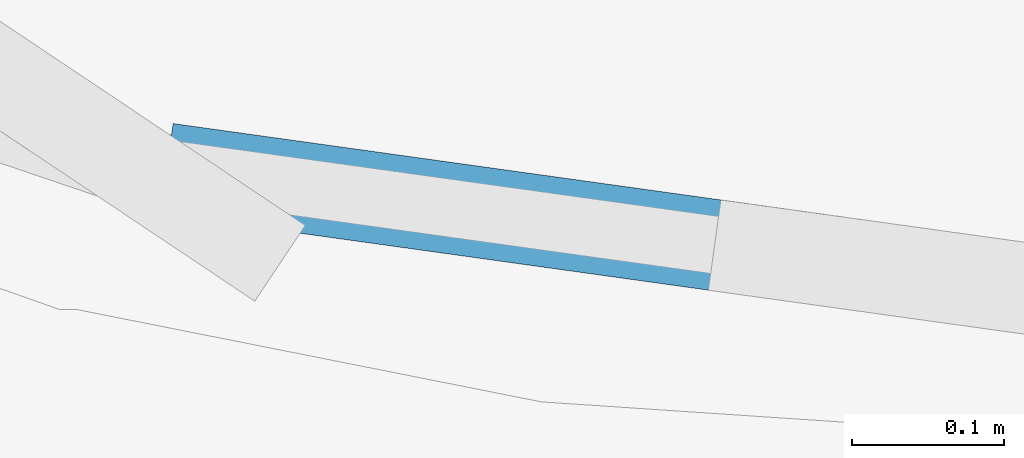
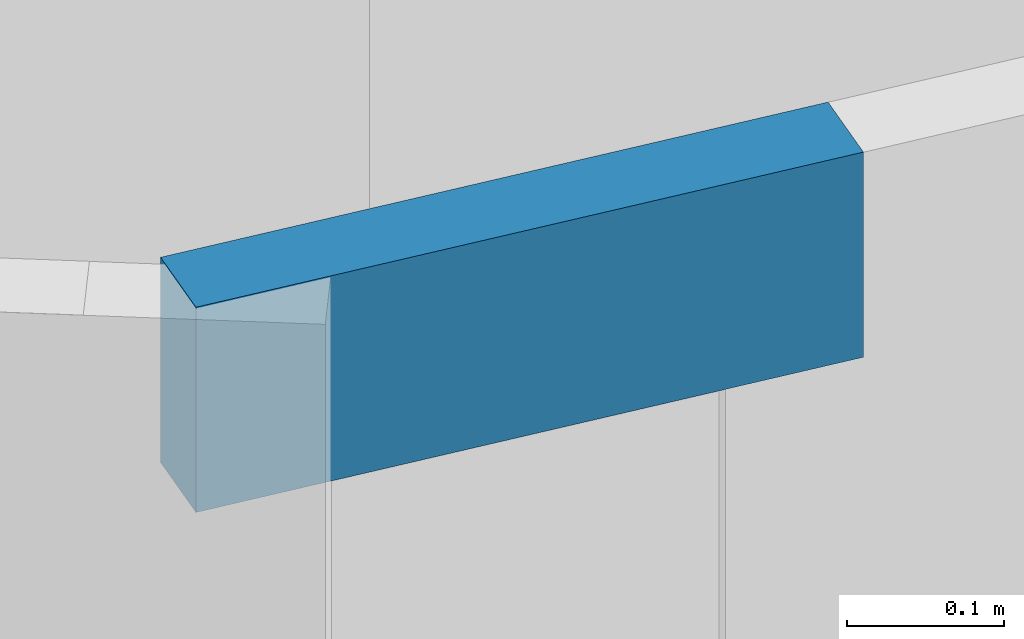
# One storey, part 19 of 37: 1 member, 1 element without a shape of its own.
"""IFC4 building model written with IfcOpenShell, lengths in metres."""

import ifcopenshell
import ifcopenshell.guid

model = None  # the IFC model being written
_history = None  # IfcOwnerHistory: only IFC2X3 demands one
_inside = {}  # id of a spatial element -> (the spatial element, [elements in it])
_under = {}  # id of a project, library or spatial element -> (it, [spatial elements below it])
_declared = {}  # id of a project -> (the project, [libraries it declares])
_typed = {}  # id of a type object -> (the type object, [elements of that type])
_made_of = {}  # id of a material, layer set ... -> (it, [elements and type objects made of it])


def new_model(schema):
    """Start an empty IFC model of exactly this schema.

    Asked for "IFC4X3", IfcOpenShell would pick the latest addendum, in which some entities
    have other attributes; the version numbers below select the first issue.
    IFC2X3 requires an IfcOwnerHistory on every rooted entity: one is made here for all.
    """
    global model, _history
    if schema == "IFC4X3":
        model = ifcopenshell.file(schema_version=(4, 3, 0, 0))
    else:
        model = ifcopenshell.file(schema=schema)
    _inside.clear()
    _under.clear()
    _declared.clear()
    _typed.clear()
    _made_of.clear()
    _history = None
    if model.schema == "IFC2X3":
        org = make("IfcOrganization", Name="unknown")
        user = make(
            "IfcPersonAndOrganization",
            ThePerson=make("IfcPerson", FamilyName="unknown"),
            TheOrganization=org,
        )
        app = make(
            "IfcApplication",
            ApplicationDeveloper=org,
            Version="unknown",
            ApplicationFullName="unknown",
            ApplicationIdentifier="unknown",
        )
        _history = make(
            "IfcOwnerHistory",
            OwningUser=user,
            OwningApplication=app,
            ChangeAction="ADDED",
            CreationDate=0,
        )
    return model


def make(cls, **values):
    """One entity of the class cls with the attributes given. An attribute that is None is left unset."""
    return model.create_entity(
        cls, **{name: value for name, value in values.items() if value is not None}
    )


def rooted(cls, **values):
    """An entity with a GlobalId (a new one), such as an element, a storey or a relation."""
    return make(cls, GlobalId=ifcopenshell.guid.new(), OwnerHistory=_history, **values)


def si_unit(unit_type, name, prefix=None):
    """IfcSIUnit, for example si_unit("LENGTHUNIT", "METRE", prefix="MILLI")."""
    return make("IfcSIUnit", UnitType=unit_type, Prefix=prefix, Name=name)


def assignment(units):
    """IfcUnitAssignment: the units of a project."""
    return None if units is None else make("IfcUnitAssignment", Units=units)


def point(xyz):
    """IfcCartesianPoint."""
    return None if xyz is None else make("IfcCartesianPoint", Coordinates=xyz)


def direction(xyz):
    """IfcDirection."""
    return None if xyz is None else make("IfcDirection", DirectionRatios=xyz)


def frame(location, z_axis=None, x_axis=None):
    """IfcAxis2Placement3D, a coordinate frame: its origin and axes. An axis left out is left unset."""
    return make(
        "IfcAxis2Placement3D",
        Location=point(location),
        Axis=direction(z_axis),
        RefDirection=direction(x_axis),
    )


def frame_2d(location, x_axis=None):
    """IfcAxis2Placement2D, a coordinate frame in the plane: its origin and x axis."""
    return make(
        "IfcAxis2Placement2D", Location=point(location), RefDirection=direction(x_axis)
    )


def origin():
    """The frame at (0, 0, 0) with its axes left unset."""
    return frame((0.0, 0.0, 0.0))


def origin_2d():
    """The frame at (0, 0) in the plane with its x axis left unset."""
    return frame_2d((0.0, 0.0))


def place(relative_to, where):
    """IfcLocalPlacement: puts the frame where relative to a parent placement (None: the world)."""
    return make(
        "IfcLocalPlacement", PlacementRelTo=relative_to, RelativePlacement=where
    )


def context(
    kind, dimensions, precision=None, world=None, true_north=None, identifier=None
):
    """IfcGeometricRepresentationContext, for example the 3D "Model" context."""
    return make(
        "IfcGeometricRepresentationContext",
        ContextIdentifier=identifier,
        ContextType=kind,
        CoordinateSpaceDimension=dimensions,
        Precision=precision,
        WorldCoordinateSystem=world,
        TrueNorth=true_north,
    )


def subcontext(parent, identifier, kind, view, scale=None):
    """IfcGeometricRepresentationSubContext, for example "Body" below "Model"."""
    return make(
        "IfcGeometricRepresentationSubContext",
        ContextIdentifier=identifier,
        ContextType=kind,
        ParentContext=parent,
        TargetScale=scale,
        TargetView=view,
    )


def project(units=None, contexts=None):
    """IfcProject with its units and contexts."""
    return rooted(
        "IfcProject",
        Name="project",
        RepresentationContexts=contexts,
        UnitsInContext=assignment(units),
    )


def spatial(cls, under=None, at=None, **own):
    """A site, building, storey or space (cls), placed at a placement, below another one or the project."""
    s = rooted(cls, ObjectPlacement=at, **own)
    if under is not None:
        _under.setdefault(under.id(), (under, []))[1].append(s)
    return s


def profile(cls, at=None, kind="AREA", **sizes):
    """A parametric profile (cls). Its sizes go by their IFC names, for example OverallWidth=200.0."""
    return make(cls, ProfileType=kind, Position=at, **sizes)


def rectangle(**sizes):
    """IfcRectangleProfileDef."""
    return profile("IfcRectangleProfileDef", **sizes)


def extrude(swept, where, along, depth):
    """IfcExtrudedAreaSolid: the profile swept, set in the frame where, extruded along a direction by depth."""
    return make(
        "IfcExtrudedAreaSolid",
        SweptArea=swept,
        Position=where,
        ExtrudedDirection=direction(along),
        Depth=depth,
    )


def shape(context_of_items, identifier, shape_type, items):
    """IfcShapeRepresentation: the items that make up one representation, for example the "Body"."""
    return make(
        "IfcShapeRepresentation",
        ContextOfItems=context_of_items,
        RepresentationIdentifier=identifier,
        RepresentationType=shape_type,
        Items=items,
    )


def material(Name=None, Category=None):
    """IfcMaterial."""
    return make("IfcMaterial", Name=Name, Category=Category)


def layer(
    of_material, thickness, ventilated=None, Name=None, Category=None, Priority=None
):
    """IfcMaterialLayer: one layer of a wall or slab, of a material (None: an air gap)."""
    return make(
        "IfcMaterialLayer",
        Material=of_material,
        LayerThickness=thickness,
        IsVentilated=ventilated,
        Name=Name,
        Category=Category,
        Priority=Priority,
    )


def layer_set(layers, Name=None):
    """IfcMaterialLayerSet."""
    return make("IfcMaterialLayerSet", MaterialLayers=layers, LayerSetName=Name)


def material_profile(
    of_material, cross_section, Name=None, Category=None, Priority=None
):
    """IfcMaterialProfile: a cross section and its material."""
    return make(
        "IfcMaterialProfile",
        Name=Name,
        Material=of_material,
        Profile=cross_section,
        Priority=Priority,
        Category=Category,
    )


def profile_set(profiles, Name=None, composite=None):
    """IfcMaterialProfileSet."""
    return make(
        "IfcMaterialProfileSet",
        Name=Name,
        MaterialProfiles=profiles,
        CompositeProfile=composite,
    )


def made_of(thing, what):
    """Note that an element or type object is made of a material, layer set ...; save() writes the relation."""
    if what is not None:
        _made_of.setdefault(what.id(), (what, []))[1].append(thing)
    return thing


def type_object(cls, material=None, **own):
    """A type object (cls), such as IfcWallType, which elements share."""
    return made_of(rooted(cls, **own), material)


def element(
    cls,
    number,
    at=None,
    inside=None,
    cuts=None,
    type_object=None,
    material=None,
    context=None,
    identifier="Body",
    shape_type=None,
    held_by="IfcProductDefinitionShape",
    body=None,
    shapes=None,
    **own,
):
    """One element of the class cls, such as IfcWall. Its Tag is "e" and its number.

    at: its placement. inside: the storey or other place that contains it. cuts: it is an
    opening in that element (IfcRelVoidsElement). A single representation is given by context,
    identifier, shape_type and body (its items); several are given by shapes. held_by: the class
    of the entity that holds the representations. save() writes the other relations.
    """
    e = rooted(cls, Tag="e%d" % number, ObjectPlacement=at, **own)
    if body is not None:
        shapes = [shape(context, identifier, shape_type, body)]
    if shapes is not None:
        e.Representation = make(held_by, Representations=shapes)
    if inside is not None:
        _inside.setdefault(inside.id(), (inside, []))[1].append(e)
    if cuts is not None:
        rooted(
            "IfcRelVoidsElement", RelatingBuildingElement=cuts, RelatedOpeningElement=e
        )
    if type_object is not None:
        _typed.setdefault(type_object.id(), (type_object, []))[1].append(e)
    return made_of(e, material)


def aggregate(whole, parts):
    """IfcRelAggregates: a whole, such as a stair, and the parts it consists of."""
    return rooted("IfcRelAggregates", RelatingObject=whole, RelatedObjects=parts)


def save(model, path):
    """Write the relations noted so far, then the file.

    IfcRelAggregates (storeys below a building ...), IfcRelContainedInSpatialStructure (elements
    in a storey), IfcRelDefinesByType, IfcRelAssociatesMaterial and IfcRelDeclares: one each for
    every whole, place, type object, material and project.
    """
    for whole, parts in _under.values():
        aggregate(whole, parts)
    for where, things in _inside.values():
        rooted(
            "IfcRelContainedInSpatialStructure",
            RelatedElements=things,
            RelatingStructure=where,
        )
    for kind, things in _typed.values():
        rooted("IfcRelDefinesByType", RelatedObjects=things, RelatingType=kind)
    for what, things in _made_of.values():
        rooted("IfcRelAssociatesMaterial", RelatedObjects=things, RelatingMaterial=what)
    for by, libraries in _declared.values():
        rooted("IfcRelDeclares", RelatingContext=by, RelatedDefinitions=libraries)
    model.write(path)


model = new_model("IFC4")

# Units and contexts
model_context = context("Model", 3, precision=1e-05, world=origin(), true_north=direction((0.0, 1.0)))
body_context = subcontext(model_context, "Body", "Model", "MODEL_VIEW")
ifc_project = project(units=[si_unit("LENGTHUNIT", "METRE"), si_unit("AREAUNIT", "SQUARE_METRE"), si_unit("VOLUMEUNIT", "CUBIC_METRE"), si_unit("PLANEANGLEUNIT", "RADIAN"), si_unit("MASSUNIT", "GRAM", prefix="KILO")], contexts=[model_context])

# Site, building, storey
site_placement = place(None, origin())
site = spatial("IfcSite", under=ifc_project, at=site_placement, CompositionType="ELEMENT")
building_placement = place(site_placement, origin())
building = spatial("IfcBuilding", under=site, at=building_placement, Name="Kheshtan School and Residences Tower", CompositionType="ELEMENT")
storey_placement = place(building_placement, frame((0.0, 0.0, 144.800048828125)))
storey = spatial("IfcBuildingStorey", under=building, at=storey_placement, Name="L34", CompositionType="ELEMENT", Elevation=144.800048828125)

# Curtain wall, member
ifc_material_1 = material(Name="Clear low-e glass in thermally broken aluminium frame", Category="aluminium")
ifc_layer = layer(ifc_material_1, 0.25)
ifc_layer_set = layer_set([ifc_layer], Name="Curtain wall CW-K")
curtain_wall_type = type_object("IfcCurtainWallType", Name="Curtain wall CW-K", PredefinedType="NOTDEFINED", material=ifc_layer_set)
curtain_wall_placement = place(storey_placement, origin())
curtain_wall = element("IfcCurtainWall", 1, at=curtain_wall_placement, inside=storey, type_object=curtain_wall_type, Name="Curtain wall CWK3", PredefinedType="NOTDEFINED")
ifc_material_2 = material(Name="Thermally broken aluminium, dark bronze anodised", Category="aluminium")
ifc_material_profile = material_profile(ifc_material_2, rectangle(XDim=0.06005859375, YDim=0.159912109375, at=origin_2d()), Name="CW-K transom 60x160")
ifc_profile_set = profile_set([ifc_material_profile], Name="Thermally broken aluminium, dark bronze anodised")
member_type = type_object("IfcMemberType", Name="CW-K transom 60x160", PredefinedType="USERDEFINED", material=ifc_profile_set)
member_placement = place(storey_placement, frame((48.93896484375, 45.272705078125, 7.570068359375), z_axis=(0.990421791636, -0.138074887842, 0.0), x_axis=(0.138074887842, 0.990421791636, 0.0)))
member = element("IfcMember", 2, at=member_placement, type_object=member_type, Name="CWK3 transom 1", ObjectType="TRANSOM", PredefinedType="USERDEFINED", context=body_context, shape_type="SweptSolid", body=[
    extrude(rectangle(XDim=0.06005859375, YDim=0.159912109375, at=origin_2d()), origin(), (0.0, 0.0, 1.0), 0.459716796875),
])
aggregate(curtain_wall, [member])

save(model, "model.ifc")
